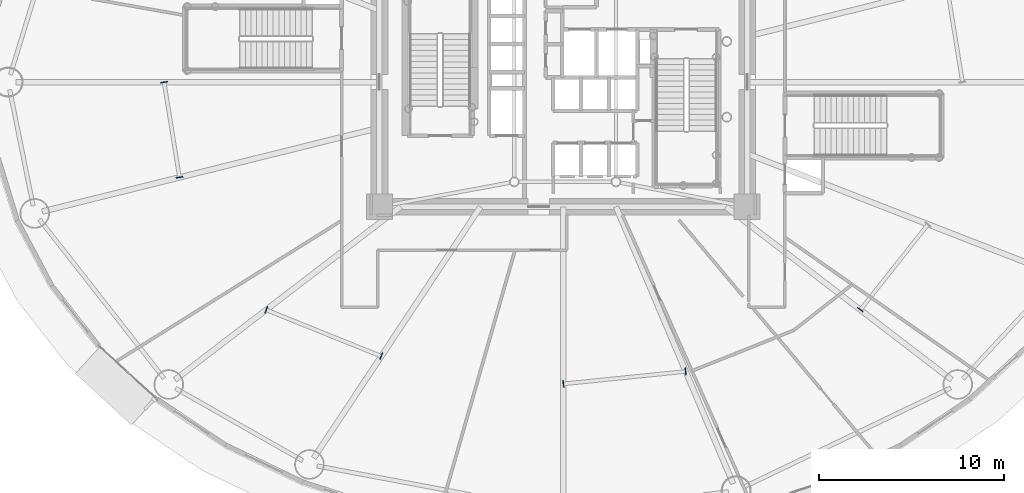
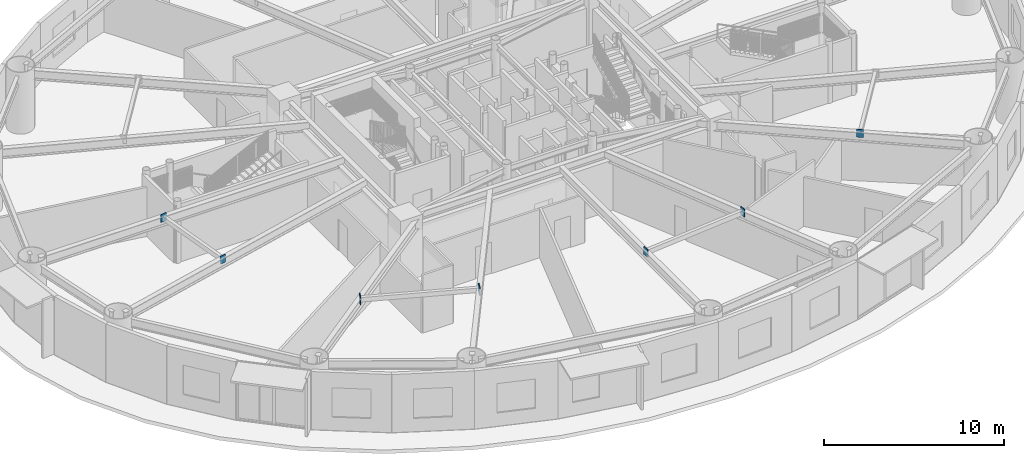
# One storey, part 16 of 35: 7 plates.
"""IFC4 building model written with IfcOpenShell, lengths in metres."""

from ifc_helpers import new_model, si_unit, direction, frame, origin, origin_2d, place, context, subcontext, project, spatial, rectangle, extrude, source, transform, mapped, material, layer, layer_set, type_object, element, save


model = new_model("IFC4")

# Units and contexts
model_context = context("Model", 3, precision=1e-05, world=origin(), true_north=direction((0.0, 1.0)))
body_context = subcontext(model_context, "Body", "Model", "MODEL_VIEW")
ifc_project = project(units=[si_unit("LENGTHUNIT", "METRE"), si_unit("AREAUNIT", "SQUARE_METRE"), si_unit("VOLUMEUNIT", "CUBIC_METRE"), si_unit("PLANEANGLEUNIT", "RADIAN"), si_unit("MASSUNIT", "GRAM", prefix="KILO")], contexts=[model_context])

# Site, building, storey
site_placement = place(None, origin())
site = spatial("IfcSite", under=ifc_project, at=site_placement, CompositionType="ELEMENT")
building_placement = place(site_placement, origin())
building = spatial("IfcBuilding", under=site, at=building_placement, Name="Linh Dai School and Residence Tower", CompositionType="ELEMENT")
storey_placement = place(building_placement, frame((0.0, 0.0, 32.39990234375)))
storey = spatial("IfcBuildingStorey", under=building, at=storey_placement, Name="L07", CompositionType="ELEMENT", Elevation=32.39990234375)

# Plates
ifc_material = material(Name="Structural Steel S355JR", Category="steel")
ifc_layer = layer(ifc_material, 0.0400390625)
ifc_layer_set = layer_set([ifc_layer], Name="Structural Steel S355JR")
plate_type = type_object("IfcPlateType", Name="PLT-GP1", PredefinedType="USERDEFINED", material=ifc_layer_set)
shared_shape = source(origin(), body_context, "Body", "SweptSolid", [
    extrude(rectangle(XDim=0.0400390625, YDim=0.3798828125, at=origin_2d()), origin(), (0.0, 0.0, 1.0), 0.5400390625),
])
for number, where, z_axis, x_axis, name in (
    (1, (14.392822265625, 26.9951171875, 3.530029296875), (0.0, 0.0, 1.0), (0.159659022119, -0.987172222389, 0.0), "L07 Secondary Beam End Plate 05A"),
    (2, (15.225830078125, 21.84375, 3.530029296875), (0.0, 0.0, 1.0), (0.159659022119, -0.987172222389, 0.0), "L07 Secondary Beam End Plate 05B"),
    (3, (19.921875, 14.6689453125, 3.530029296875), (0.0, 0.0, 1.0), (0.927536459105, -0.373732681245, 0.0), "L07 Secondary Beam End Plate 06A"),
    (4, (26.1455078125, 12.161376953125, 3.530029296875), (0.0, 0.0, 1.0), (0.927536459105, -0.373732681245, 0.0), "L07 Secondary Beam End Plate 06B"),
    (5, (36.0048828125, 10.6630859375, 3.530029296875), (0.0, 0.0, 1.0), (0.994884100574, 0.101022900497, 0.0), "L07 Secondary Beam End Plate 07A"),
    (6, (42.621826171875, 11.3349609375, 3.530029296875), (0.0, 0.0, 1.0), (0.994884100574, 0.101022900497, 0.0), "L07 Secondary Beam End Plate 07B"),
    (7, (52.085693359375, 14.6748046875, 3.530029296875), (0.0, 0.0, 1.0), (0.620177637481, 0.784461406297, 0.0), "L07 Secondary Beam End Plate 08A"),
):
    element("IfcPlate", number, at=place(storey_placement, frame(where, z_axis=z_axis, x_axis=x_axis)), inside=storey, type_object=plate_type, Name=name, ObjectType="GUSSET PLATE", PredefinedType="USERDEFINED", context=body_context, shape_type="MappedRepresentation", body=[
        mapped(shared_shape, transform((0.0, 0.0, 0.0), x_axis=(1.0, 0.0, 0.0), y_axis=(0.0, 1.0, 0.0), z_axis=(0.0, 0.0, 1.0), scale=1.0)),
    ])

save(model, "model.ifc")
